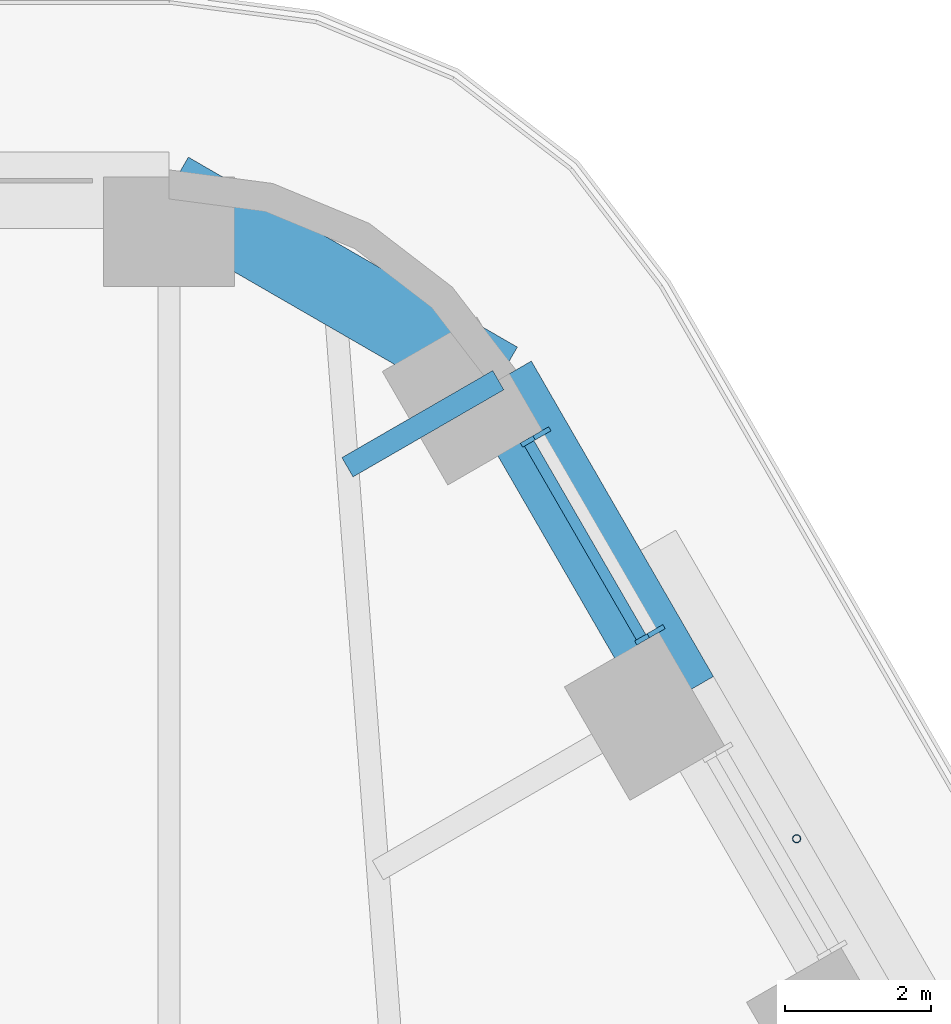
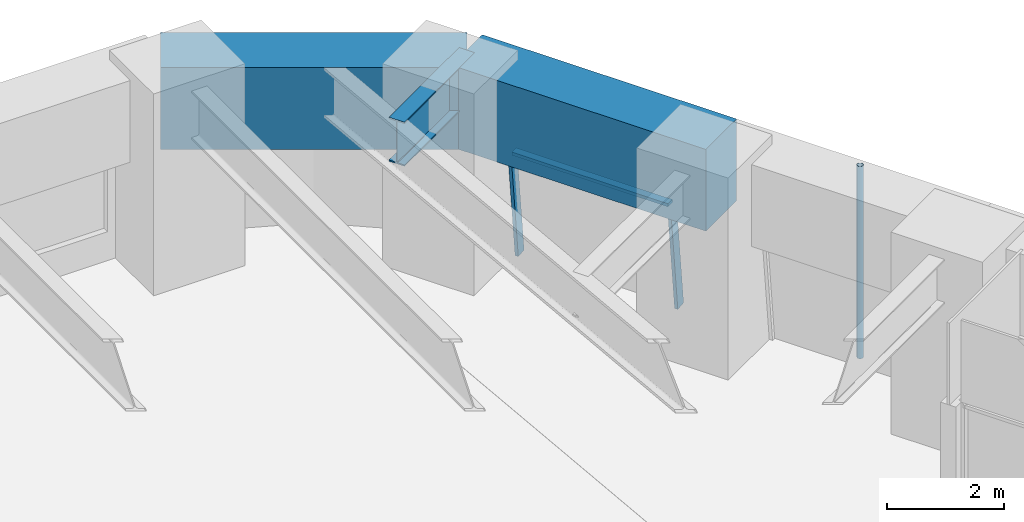
# One storey, part 13 of 24: 4 members, 3 beams, 1 element without a shape of its own.
"""IFC4 building model written with IfcOpenShell, lengths in metres."""

from ifc_helpers import new_model, si_unit, direction, frame, origin, origin_2d, place, context, subcontext, project, spatial, rectangle, hollow_circle, i_section, extrude, material, material_profile, profile_set, type_object, element, aggregate, save


model = new_model("IFC4")

# Units and contexts
model_context = context("Model", 3, precision=1e-05, world=origin(), true_north=direction((0.0, 1.0)))
body_context = subcontext(model_context, "Body", "Model", "MODEL_VIEW")
ifc_project = project(units=[si_unit("LENGTHUNIT", "METRE"), si_unit("AREAUNIT", "SQUARE_METRE"), si_unit("VOLUMEUNIT", "CUBIC_METRE"), si_unit("PLANEANGLEUNIT", "RADIAN"), si_unit("MASSUNIT", "GRAM", prefix="KILO")], contexts=[model_context])

# Site, building, storey
site_placement = place(None, origin())
site = spatial("IfcSite", under=ifc_project, at=site_placement, CompositionType="ELEMENT")
building_placement = place(site_placement, origin())
building = spatial("IfcBuilding", under=site, at=building_placement, Name="Tarfa Lantern Tower", CompositionType="ELEMENT")
storey_placement = place(building_placement, frame((0.0, 0.0, 127.89990234375)))
storey = spatial("IfcBuildingStorey", under=building, at=storey_placement, Name="L28", CompositionType="ELEMENT", Elevation=127.89990234375)

# Curtain wall, members
ifc_material_1 = material(Name="Aluminium framed curtain wall", Category="aluminium")
curtain_wall_type = type_object("IfcCurtainWallType", Name="CW2 CANTED GLAZING MID ZONE 2300", PredefinedType="USERDEFINED", material=ifc_material_1)
curtain_wall_placement = place(storey_placement, origin())
curtain_wall = element("IfcCurtainWall", 1, at=curtain_wall_placement, inside=storey, type_object=curtain_wall_type, Name="CW2 NEB L28", ObjectType="CURTAIN WALL", PredefinedType="USERDEFINED")
ifc_material_2 = material(Name="Aluminium mullion", Category="aluminium")
ifc_material_profile_1 = material_profile(ifc_material_2, rectangle(XDim=0.06494140625, YDim=0.199951171875, at=origin_2d()), Name="AL MULLION 65x200")
ifc_profile_set_1 = profile_set([ifc_material_profile_1], Name="Aluminium mullion")
member_type_1 = type_object("IfcMemberType", Name="CWM1 MULLION 65x200", PredefinedType="MULLION", material=ifc_profile_set_1)
member_1_placement = place(storey_placement, frame((21.72314453125, 25.17431640625, 0.0), z_axis=(-0.093495303575, -0.054028888748, 0.994152657991), x_axis=(0.500342721131, -0.865827443207, 0.0)))
member_1 = element("IfcMember", 2, at=member_1_placement, type_object=member_type_1, Name="CW2 mullion 1", PredefinedType="MULLION", context=body_context, shape_type="SweptSolid", body=[
    extrude(rectangle(XDim=0.06494140625, YDim=0.199951171875, at=origin_2d()), origin(), (0.0, 0.0, 1.0), 2.3134765625),
])
member_2_placement = place(storey_placement, frame((20.15380859375, 27.892333984375, 0.0), z_axis=(-0.093495303575, -0.054028888748, 0.994152657991), x_axis=(0.500342721131, -0.865827443207, 0.0)))
member_2 = element("IfcMember", 3, at=member_2_placement, type_object=member_type_1, Name="CW2 mullion 2", PredefinedType="MULLION", context=body_context, shape_type="SweptSolid", body=[
    extrude(rectangle(XDim=0.06494140625, YDim=0.199951171875, at=origin_2d()), origin(), (0.0, 0.0, 1.0), 2.3134765625),
])
ifc_material_3 = material(Name="Aluminium transom", Category="aluminium")
ifc_material_profile_2 = material_profile(ifc_material_3, rectangle(XDim=0.14990234375, YDim=0.06494140625, at=origin_2d()), Name="AL TRANSOM 150x65")
ifc_profile_set_2 = profile_set([ifc_material_profile_2], Name="Aluminium transom")
member_type_2 = type_object("IfcMemberType", Name="CWT1 TRANSOM 150x65", PredefinedType="USERDEFINED", material=ifc_profile_set_2)
member_3_placement = place(storey_placement, frame((21.49365234375, 25.0791015625, 2.267578125), z_axis=(-0.500008936691, 0.866020244122, 0.0), x_axis=(-0.866020244122, -0.500008936691, 0.0)))
member_3 = element("IfcMember", 4, at=member_3_placement, type_object=member_type_2, Name="CW2 transom 1.2", ObjectType="TRANSOM", PredefinedType="USERDEFINED", context=body_context, shape_type="SweptSolid", body=[
    extrude(rectangle(XDim=0.14990234375, YDim=0.06494140625, at=origin_2d()), origin(), (0.0, 0.0, 1.0), 3.07373046875),
])
aggregate(curtain_wall, [member_1, member_2, member_3])

# Beams
ifc_material_4 = material(Name="Concrete C80/95", Category="concrete")
ifc_material_profile_3 = material_profile(ifc_material_4, rectangle(XDim=1.050048828125, YDim=1.699951171875, at=origin_2d()), Name="RC 1050x1700")
ifc_profile_set_3 = profile_set([ifc_material_profile_3], Name="Concrete C80/95")
beam_type_1 = type_object("IfcBeamType", Name="RB2 RC 1050x1700", PredefinedType="BEAM", material=ifc_profile_set_3)
beam_1_placement = place(storey_placement, frame((22.03369140625, 24.276611328125, 3.150146484375), z_axis=(-0.500001197378, 0.866024712477, 0.0), x_axis=(-0.866024712477, -0.500001197378, 0.0)))
element("IfcBeam", 5, at=beam_1_placement, inside=storey, type_object=beam_type_1, Name="Edge beam NE5", PredefinedType="BEAM", context=body_context, shape_type="SweptSolid", body=[
    extrude(rectangle(XDim=1.050048828125, YDim=1.699951171875, at=origin_2d()), origin(), (0.0, 0.0, 1.0), 5.00390625),
])
beam_2_placement = place(storey_placement, frame((19.53173828125, 28.610107421875, 3.150146484375), z_axis=(-0.86604150238, 0.499972115377, 0.0), x_axis=(-0.499972115377, -0.86604150238, 0.0)))
element("IfcBeam", 6, at=beam_2_placement, inside=storey, type_object=beam_type_1, Name="Edge beam NE6", PredefinedType="BEAM", context=body_context, shape_type="SweptSolid", body=[
    extrude(rectangle(XDim=1.050048828125, YDim=1.699951171875, at=origin_2d()), origin(), (0.0, 0.0, 1.0), 5.219970703125),
])

# Member
ifc_material_5 = material(Name="Steel S355", Category="steel")
ifc_material_profile_4 = material_profile(ifc_material_5, hollow_circle(Radius=0.05712890625, WallThickness=0.00634765625, at=origin_2d()), Name="CHS114.3x6.3")
ifc_profile_set_4 = profile_set([ifc_material_profile_4], Name="Steel S355")
member_type_3 = type_object("IfcMemberType", Name="TR1 GREEN WALL TRELLIS CHS114.3x6.3", PredefinedType="USERDEFINED", material=ifc_profile_set_4)
member_4_placement = place(storey_placement, frame((23.630859375, 22.31005859375, 0.0), z_axis=(0.0, 0.0, 1.0), x_axis=(1.0, 0.0, 0.0)))
element("IfcMember", 7, at=member_4_placement, inside=storey, type_object=member_type_3, Name="Trellis post NE 2", ObjectType="TRELLIS", PredefinedType="USERDEFINED", context=body_context, shape_type="SweptSolid", body=[
    extrude(hollow_circle(Radius=0.05712890625, WallThickness=0.00634765625, at=origin_2d()), origin(), (0.0, 0.0, 1.0), 4.0),
])

# Beam
ifc_material_6 = material(Name="Steel S460M", Category="steel")
ifc_material_profile_5 = material_profile(ifc_material_6, i_section(OverallWidth=0.305419921875, OverallDepth=0.91845703125, WebThickness=0.017333984375, FlangeThickness=0.02783203125, FilletRadius=0.01904296875, at=origin_2d()), Name="UB914x305x253")
ifc_profile_set_5 = profile_set([ifc_material_profile_5], Name="Steel S460M")
beam_type_2 = type_object("IfcBeamType", Name="UB914x305x253", PredefinedType="BEAM", material=ifc_profile_set_5)
beam_3_placement = place(storey_placement, frame((19.53173828125, 28.610107421875, 3.541015625), z_axis=(-0.865998640954, -0.500046351717, 0.0), x_axis=(0.500046351717, -0.865998640954, 0.0)))
element("IfcBeam", 8, at=beam_3_placement, inside=storey, type_object=beam_type_2, Name="Floor beam NE6", PredefinedType="BEAM", context=body_context, shape_type="SweptSolid", body=[
    extrude(i_section(OverallWidth=0.305419921875, OverallDepth=0.91845703125, WebThickness=0.017333984375, FlangeThickness=0.02783203125, FilletRadius=0.01904296875, at=origin_2d()), origin(), (0.0, 0.0, 1.0), 2.392333984375),
])

save(model, "model.ifc")
